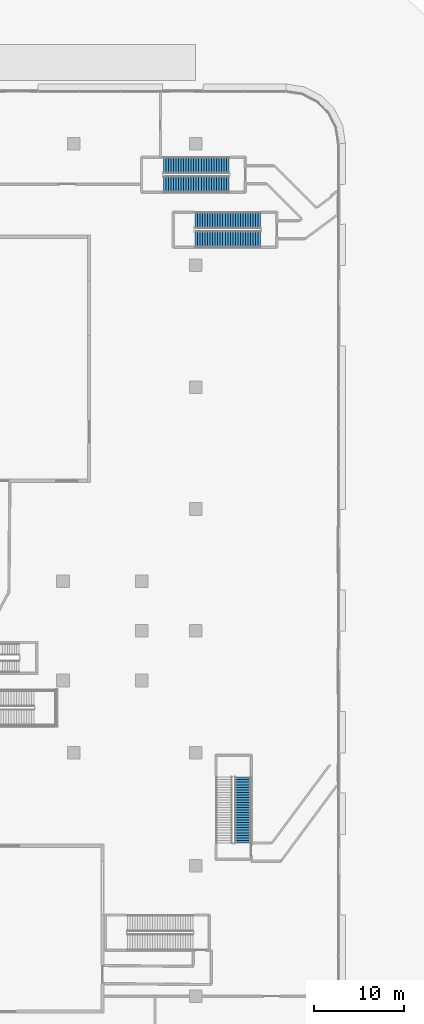
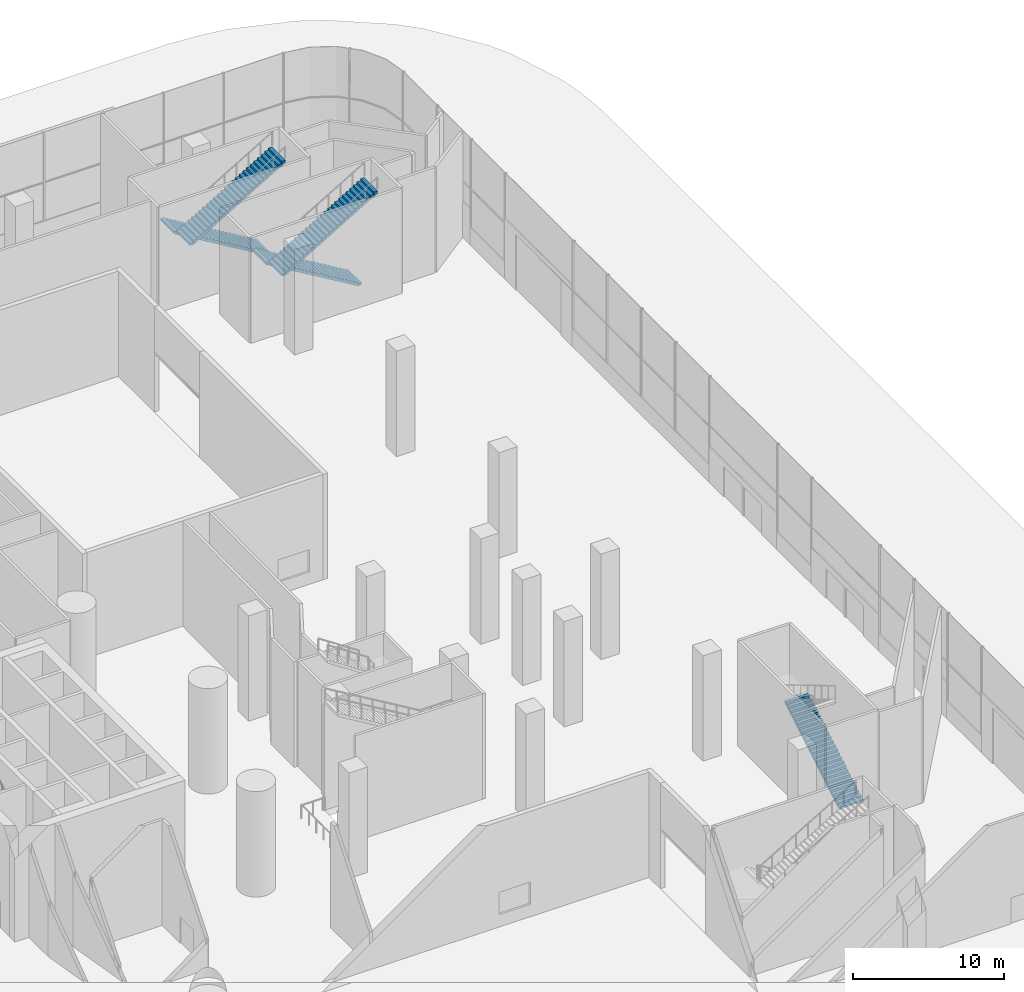
# One storey, part 37 of 54: 5 stair flights, 3 elements without a shape of their own.
"""IFC4 building model written with IfcOpenShell, lengths in metres."""

from ifc_helpers import new_model, si_unit, direction, frame, origin, place, context, subcontext, project, spatial, polyline, outline, extrude, material, type_object, element, aggregate, save


model = new_model("IFC4")

# Units and contexts
model_context = context("Model", 3, precision=1e-05, world=origin(), true_north=direction((0.0, 1.0)))
body_context = subcontext(model_context, "Body", "Model", "MODEL_VIEW")
ifc_project = project(units=[si_unit("LENGTHUNIT", "METRE"), si_unit("AREAUNIT", "SQUARE_METRE"), si_unit("VOLUMEUNIT", "CUBIC_METRE"), si_unit("PLANEANGLEUNIT", "RADIAN"), si_unit("MASSUNIT", "GRAM", prefix="KILO")], contexts=[model_context])

# Site, building, storey
site_placement = place(None, origin())
site = spatial("IfcSite", under=ifc_project, at=site_placement, CompositionType="ELEMENT")
building_placement = place(site_placement, origin())
building = spatial("IfcBuilding", under=site, at=building_placement, Name="Tamarind Cross Interchange Tower", CompositionType="ELEMENT")
storey_placement = place(building_placement, origin())
storey = spatial("IfcBuildingStorey", under=building, at=storey_placement, Name="L00", CompositionType="ELEMENT", Elevation=0.0)

# Stair, stair flights
ifc_material_1 = material(Name="Public stair")
stair_type = type_object("IfcStairType", Name="Public stair", PredefinedType="HALF_TURN_STAIR", material=ifc_material_1)
stair_1_placement = place(storey_placement, origin())
stair_1 = element("IfcStair", 1, at=stair_1_placement, inside=storey, type_object=stair_type, Name="L00 exit stair XS-P01", PredefinedType="HALF_TURN_STAIR")
ifc_material_2 = material(Name="Public stair flight")
stair_flight_type = type_object("IfcStairFlightType", Name="Public stair flight", PredefinedType="STRAIGHT", material=ifc_material_2)
stair_flight_1_placement = place(storey_placement, frame((57.699951171875, 51.60009765625, 0.0), z_axis=(0.0, 0.0, 1.0), x_axis=(-1.0, 0.0, 0.0)))
stair_flight_1 = element("IfcStairFlight", 2, at=stair_flight_1_placement, type_object=stair_flight_type, Name="XS-P01 flight 1", NumberOfRisers=27, NumberOfTreads=26, PredefinedType="STRAIGHT", RiserHeight=0.166666667, TreadLength=0.28, context=body_context, shape_type="SweptSolid", body=[
    extrude(outline(polyline([(0.0, 0.0), (0.0, 0.166748046875), (0.280029296875, 0.166748046875), (0.280029296875, 0.333251953125), (0.56005859375, 0.333251953125), (0.56005859375, 0.5), (0.840087890625, 0.5), (0.840087890625, 0.666748046875), (1.1201171875, 0.666748046875), (1.1201171875, 0.833251953125), (1.39990234375, 0.833251953125), (1.39990234375, 1.0), (1.679931640625, 1.0), (1.679931640625, 1.166748046875), (1.9599609375, 1.166748046875), (1.9599609375, 1.333251953125), (2.239990234375, 1.333251953125), (2.239990234375, 1.5), (2.52001953125, 1.5), (2.52001953125, 1.666748046875), (2.800048828125, 1.666748046875), (2.800048828125, 1.833251953125), (3.080078125, 1.833251953125), (3.080078125, 2.0), (3.360107421875, 2.0), (3.360107421875, 2.166748046875), (3.639892578125, 2.166748046875), (3.639892578125, 2.333251953125), (3.919921875, 2.333251953125), (3.919921875, 2.5), (4.199951171875, 2.5), (4.199951171875, 2.666748046875), (4.47998046875, 2.666748046875), (4.47998046875, 2.833251953125), (4.760009765625, 2.833251953125), (4.760009765625, 3.0), (5.0400390625, 3.0), (5.0400390625, 3.166748046875), (5.320068359375, 3.166748046875), (5.320068359375, 3.333251953125), (5.60009765625, 3.333251953125), (5.60009765625, 3.5), (5.8798828125, 3.5), (5.8798828125, 3.666748046875), (6.159912109375, 3.666748046875), (6.159912109375, 3.833251953125), (6.43994140625, 3.833251953125), (6.43994140625, 4.0), (6.719970703125, 4.0), (6.719970703125, 4.166748046875), (7.0, 4.166748046875), (7.0, 4.333251953125), (7.280029296875, 4.333251953125), (7.280029296875, 4.5), (7.280029296875, 4.158935546875), (0.29296875, 0.0), (0.0, 0.0)])), frame((0.0, 0.89990234375, 0.0), z_axis=(0.0, -1.0, 0.0), x_axis=(1.0, 0.0, 0.0)), (0.0, 0.0, 1.0), 1.800048828125),
])
stair_flight_2_placement = place(storey_placement, frame((50.419921875, 49.5, 4.5), z_axis=(0.0, 0.0, 1.0), x_axis=(1.0, 0.0, 0.0)))
stair_flight_2 = element("IfcStairFlight", 3, at=stair_flight_2_placement, type_object=stair_flight_type, Name="XS-P01 flight 2", NumberOfRisers=27, NumberOfTreads=26, PredefinedType="STRAIGHT", RiserHeight=0.166666667, TreadLength=0.28, context=body_context, shape_type="SweptSolid", body=[
    extrude(outline(polyline([(0.0, 0.0), (0.0, 0.166748046875), (0.280029296875, 0.166748046875), (0.280029296875, 0.333251953125), (0.56005859375, 0.333251953125), (0.56005859375, 0.5), (0.840087890625, 0.5), (0.840087890625, 0.666748046875), (1.1201171875, 0.666748046875), (1.1201171875, 0.833251953125), (1.39990234375, 0.833251953125), (1.39990234375, 1.0), (1.679931640625, 1.0), (1.679931640625, 1.166748046875), (1.9599609375, 1.166748046875), (1.9599609375, 1.333251953125), (2.239990234375, 1.333251953125), (2.239990234375, 1.5), (2.52001953125, 1.5), (2.52001953125, 1.666748046875), (2.800048828125, 1.666748046875), (2.800048828125, 1.833251953125), (3.080078125, 1.833251953125), (3.080078125, 2.0), (3.360107421875, 2.0), (3.360107421875, 2.166748046875), (3.639892578125, 2.166748046875), (3.639892578125, 2.333251953125), (3.919921875, 2.333251953125), (3.919921875, 2.5), (4.199951171875, 2.5), (4.199951171875, 2.666748046875), (4.47998046875, 2.666748046875), (4.47998046875, 2.833251953125), (4.760009765625, 2.833251953125), (4.760009765625, 3.0), (5.0400390625, 3.0), (5.0400390625, 3.166748046875), (5.320068359375, 3.166748046875), (5.320068359375, 3.333251953125), (5.60009765625, 3.333251953125), (5.60009765625, 3.5), (5.8798828125, 3.5), (5.8798828125, 3.666748046875), (6.159912109375, 3.666748046875), (6.159912109375, 3.833251953125), (6.43994140625, 3.833251953125), (6.43994140625, 4.0), (6.719970703125, 4.0), (6.719970703125, 4.166748046875), (7.0, 4.166748046875), (7.0, 4.333251953125), (7.280029296875, 4.333251953125), (7.280029296875, 4.5), (7.280029296875, 4.158935546875), (0.29296875, 0.0), (0.0, 0.0)])), frame((0.0, 0.89990234375, 0.0), z_axis=(0.0, -1.0, 0.0), x_axis=(1.0, 0.0, 0.0)), (0.0, 0.0, 1.0), 1.800048828125),
])
aggregate(stair_1, [stair_flight_1, stair_flight_2])

stair_2_placement = place(storey_placement, origin())
stair_2 = element("IfcStair", 4, at=stair_2_placement, inside=storey, type_object=stair_type, Name="L00 exit stair XS-P02", PredefinedType="HALF_TURN_STAIR")
stair_flight_3_placement = place(storey_placement, frame((61.199951171875, 45.5, 0.0), z_axis=(0.0, 0.0, 1.0), x_axis=(-1.0, 0.0, 0.0)))
stair_flight_3 = element("IfcStairFlight", 5, at=stair_flight_3_placement, type_object=stair_flight_type, Name="XS-P02 flight 1", NumberOfRisers=27, NumberOfTreads=26, PredefinedType="STRAIGHT", RiserHeight=0.166666667, TreadLength=0.28, context=body_context, shape_type="SweptSolid", body=[
    extrude(outline(polyline([(0.0, 0.0), (0.0, 0.166748046875), (0.280029296875, 0.166748046875), (0.280029296875, 0.333251953125), (0.56005859375, 0.333251953125), (0.56005859375, 0.5), (0.840087890625, 0.5), (0.840087890625, 0.666748046875), (1.1201171875, 0.666748046875), (1.1201171875, 0.833251953125), (1.39990234375, 0.833251953125), (1.39990234375, 1.0), (1.679931640625, 1.0), (1.679931640625, 1.166748046875), (1.9599609375, 1.166748046875), (1.9599609375, 1.333251953125), (2.239990234375, 1.333251953125), (2.239990234375, 1.5), (2.52001953125, 1.5), (2.52001953125, 1.666748046875), (2.800048828125, 1.666748046875), (2.800048828125, 1.833251953125), (3.080078125, 1.833251953125), (3.080078125, 2.0), (3.360107421875, 2.0), (3.360107421875, 2.166748046875), (3.639892578125, 2.166748046875), (3.639892578125, 2.333251953125), (3.919921875, 2.333251953125), (3.919921875, 2.5), (4.199951171875, 2.5), (4.199951171875, 2.666748046875), (4.47998046875, 2.666748046875), (4.47998046875, 2.833251953125), (4.760009765625, 2.833251953125), (4.760009765625, 3.0), (5.0400390625, 3.0), (5.0400390625, 3.166748046875), (5.320068359375, 3.166748046875), (5.320068359375, 3.333251953125), (5.60009765625, 3.333251953125), (5.60009765625, 3.5), (5.8798828125, 3.5), (5.8798828125, 3.666748046875), (6.159912109375, 3.666748046875), (6.159912109375, 3.833251953125), (6.43994140625, 3.833251953125), (6.43994140625, 4.0), (6.719970703125, 4.0), (6.719970703125, 4.166748046875), (7.0, 4.166748046875), (7.0, 4.333251953125), (7.280029296875, 4.333251953125), (7.280029296875, 4.5), (7.280029296875, 4.158935546875), (0.29296875, 0.0), (0.0, 0.0)])), frame((0.0, 0.89990234375, 0.0), z_axis=(0.0, -1.0, 0.0), x_axis=(1.0, 0.0, 0.0)), (0.0, 0.0, 1.0), 1.800048828125),
])
stair_flight_4_placement = place(storey_placement, frame((53.919921875, 43.39990234375, 4.5), z_axis=(0.0, 0.0, 1.0), x_axis=(1.0, 0.0, 0.0)))
stair_flight_4 = element("IfcStairFlight", 6, at=stair_flight_4_placement, type_object=stair_flight_type, Name="XS-P02 flight 2", NumberOfRisers=27, NumberOfTreads=26, PredefinedType="STRAIGHT", RiserHeight=0.166666667, TreadLength=0.28, context=body_context, shape_type="SweptSolid", body=[
    extrude(outline(polyline([(0.0, 0.0), (0.0, 0.166748046875), (0.280029296875, 0.166748046875), (0.280029296875, 0.333251953125), (0.56005859375, 0.333251953125), (0.56005859375, 0.5), (0.840087890625, 0.5), (0.840087890625, 0.666748046875), (1.1201171875, 0.666748046875), (1.1201171875, 0.833251953125), (1.39990234375, 0.833251953125), (1.39990234375, 1.0), (1.679931640625, 1.0), (1.679931640625, 1.166748046875), (1.9599609375, 1.166748046875), (1.9599609375, 1.333251953125), (2.239990234375, 1.333251953125), (2.239990234375, 1.5), (2.52001953125, 1.5), (2.52001953125, 1.666748046875), (2.800048828125, 1.666748046875), (2.800048828125, 1.833251953125), (3.080078125, 1.833251953125), (3.080078125, 2.0), (3.360107421875, 2.0), (3.360107421875, 2.166748046875), (3.639892578125, 2.166748046875), (3.639892578125, 2.333251953125), (3.919921875, 2.333251953125), (3.919921875, 2.5), (4.199951171875, 2.5), (4.199951171875, 2.666748046875), (4.47998046875, 2.666748046875), (4.47998046875, 2.833251953125), (4.760009765625, 2.833251953125), (4.760009765625, 3.0), (5.0400390625, 3.0), (5.0400390625, 3.166748046875), (5.320068359375, 3.166748046875), (5.320068359375, 3.333251953125), (5.60009765625, 3.333251953125), (5.60009765625, 3.5), (5.8798828125, 3.5), (5.8798828125, 3.666748046875), (6.159912109375, 3.666748046875), (6.159912109375, 3.833251953125), (6.43994140625, 3.833251953125), (6.43994140625, 4.0), (6.719970703125, 4.0), (6.719970703125, 4.166748046875), (7.0, 4.166748046875), (7.0, 4.333251953125), (7.280029296875, 4.333251953125), (7.280029296875, 4.5), (7.280029296875, 4.158935546875), (0.29296875, 0.0), (0.0, 0.0)])), frame((0.0, 0.89990234375, 0.0), z_axis=(0.0, -1.0, 0.0), x_axis=(1.0, 0.0, 0.0)), (0.0, 0.0, 1.0), 1.800048828125),
])
aggregate(stair_2, [stair_flight_3, stair_flight_4])

# Stair, stair flight
stair_3_placement = place(storey_placement, origin())
stair_3 = element("IfcStair", 7, at=stair_3_placement, inside=storey, type_object=stair_type, Name="L00 exit stair XS-P11", PredefinedType="HALF_TURN_STAIR")
stair_flight_5_placement = place(storey_placement, frame((59.25, -23.5, 0.0), z_axis=(0.0, 0.0, 1.0), x_axis=(0.0, 1.0, 0.0)))
stair_flight_5 = element("IfcStairFlight", 8, at=stair_flight_5_placement, type_object=stair_flight_type, Name="XS-P11 flight 1", NumberOfRisers=27, NumberOfTreads=26, PredefinedType="STRAIGHT", RiserHeight=0.166666667, TreadLength=0.28, context=body_context, shape_type="SweptSolid", body=[
    extrude(outline(polyline([(0.0, 0.0), (0.0, 0.166748046875), (0.280029296875, 0.166748046875), (0.280029296875, 0.333251953125), (0.56005859375, 0.333251953125), (0.56005859375, 0.5), (0.840087890625, 0.5), (0.840087890625, 0.666748046875), (1.1201171875, 0.666748046875), (1.1201171875, 0.833251953125), (1.39990234375, 0.833251953125), (1.39990234375, 1.0), (1.679931640625, 1.0), (1.679931640625, 1.166748046875), (1.9599609375, 1.166748046875), (1.9599609375, 1.333251953125), (2.239990234375, 1.333251953125), (2.239990234375, 1.5), (2.52001953125, 1.5), (2.52001953125, 1.666748046875), (2.800048828125, 1.666748046875), (2.800048828125, 1.833251953125), (3.080078125, 1.833251953125), (3.080078125, 2.0), (3.360107421875, 2.0), (3.360107421875, 2.166748046875), (3.639892578125, 2.166748046875), (3.639892578125, 2.333251953125), (3.919921875, 2.333251953125), (3.919921875, 2.5), (4.199951171875, 2.5), (4.199951171875, 2.666748046875), (4.47998046875, 2.666748046875), (4.47998046875, 2.833251953125), (4.760009765625, 2.833251953125), (4.760009765625, 3.0), (5.0400390625, 3.0), (5.0400390625, 3.166748046875), (5.320068359375, 3.166748046875), (5.320068359375, 3.333251953125), (5.60009765625, 3.333251953125), (5.60009765625, 3.5), (5.8798828125, 3.5), (5.8798828125, 3.666748046875), (6.159912109375, 3.666748046875), (6.159912109375, 3.833251953125), (6.43994140625, 3.833251953125), (6.43994140625, 4.0), (6.719970703125, 4.0), (6.719970703125, 4.166748046875), (7.0, 4.166748046875), (7.0, 4.333251953125), (7.280029296875, 4.333251953125), (7.280029296875, 4.5), (7.280029296875, 4.158935546875), (0.29296875, 0.0), (0.0, 0.0)])), frame((0.0, 0.89990234375, 0.0), z_axis=(0.0, -1.0, 0.0), x_axis=(1.0, 0.0, 0.0)), (0.0, 0.0, 1.0), 1.800048828125),
])
aggregate(stair_3, [stair_flight_5])

save(model, "model.ifc")
